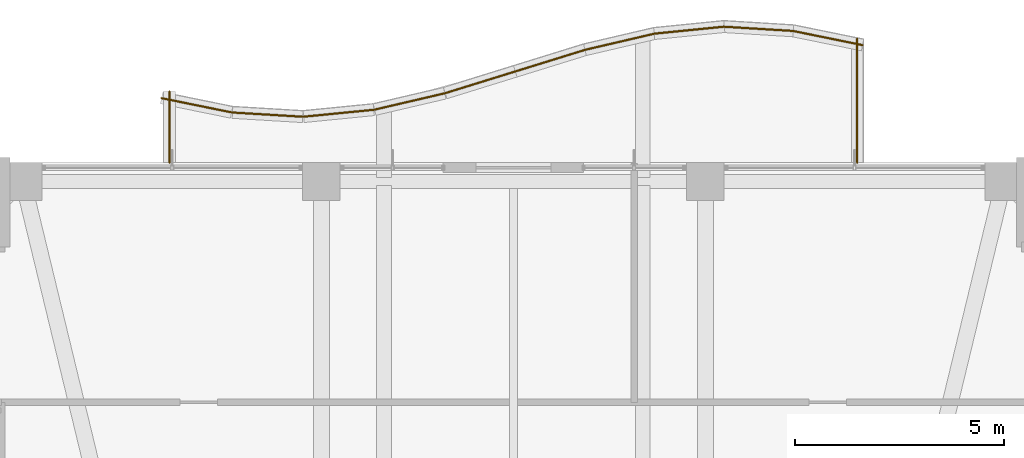
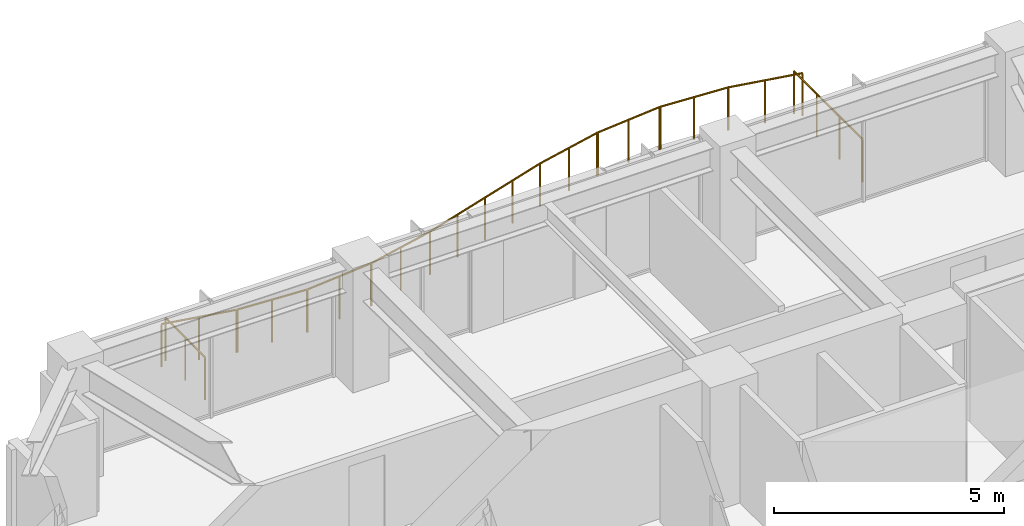
# One storey, part 31 of 31: 12 railings.
"""IFC4 building model written with IfcOpenShell, lengths in metres."""

import ifcopenshell
import ifcopenshell.guid

model = None  # the IFC model being written
_history = None  # IfcOwnerHistory: only IFC2X3 demands one
_inside = {}  # id of a spatial element -> (the spatial element, [elements in it])
_under = {}  # id of a project, library or spatial element -> (it, [spatial elements below it])
_declared = {}  # id of a project -> (the project, [libraries it declares])
_typed = {}  # id of a type object -> (the type object, [elements of that type])
_made_of = {}  # id of a material, layer set ... -> (it, [elements and type objects made of it])


def new_model(schema):
    """Start an empty IFC model of exactly this schema.

    Asked for "IFC4X3", IfcOpenShell would pick the latest addendum, in which some entities
    have other attributes; the version numbers below select the first issue.
    IFC2X3 requires an IfcOwnerHistory on every rooted entity: one is made here for all.
    """
    global model, _history
    if schema == "IFC4X3":
        model = ifcopenshell.file(schema_version=(4, 3, 0, 0))
    else:
        model = ifcopenshell.file(schema=schema)
    _inside.clear()
    _under.clear()
    _declared.clear()
    _typed.clear()
    _made_of.clear()
    _history = None
    if model.schema == "IFC2X3":
        org = make("IfcOrganization", Name="unknown")
        user = make(
            "IfcPersonAndOrganization",
            ThePerson=make("IfcPerson", FamilyName="unknown"),
            TheOrganization=org,
        )
        app = make(
            "IfcApplication",
            ApplicationDeveloper=org,
            Version="unknown",
            ApplicationFullName="unknown",
            ApplicationIdentifier="unknown",
        )
        _history = make(
            "IfcOwnerHistory",
            OwningUser=user,
            OwningApplication=app,
            ChangeAction="ADDED",
            CreationDate=0,
        )
    return model


def make(cls, **values):
    """One entity of the class cls with the attributes given. An attribute that is None is left unset."""
    return model.create_entity(
        cls, **{name: value for name, value in values.items() if value is not None}
    )


def rooted(cls, **values):
    """An entity with a GlobalId (a new one), such as an element, a storey or a relation."""
    return make(cls, GlobalId=ifcopenshell.guid.new(), OwnerHistory=_history, **values)


def si_unit(unit_type, name, prefix=None):
    """IfcSIUnit, for example si_unit("LENGTHUNIT", "METRE", prefix="MILLI")."""
    return make("IfcSIUnit", UnitType=unit_type, Prefix=prefix, Name=name)


def assignment(units):
    """IfcUnitAssignment: the units of a project."""
    return None if units is None else make("IfcUnitAssignment", Units=units)


def point(xyz):
    """IfcCartesianPoint."""
    return None if xyz is None else make("IfcCartesianPoint", Coordinates=xyz)


def direction(xyz):
    """IfcDirection."""
    return None if xyz is None else make("IfcDirection", DirectionRatios=xyz)


def frame(location, z_axis=None, x_axis=None):
    """IfcAxis2Placement3D, a coordinate frame: its origin and axes. An axis left out is left unset."""
    return make(
        "IfcAxis2Placement3D",
        Location=point(location),
        Axis=direction(z_axis),
        RefDirection=direction(x_axis),
    )


def frame_2d(location, x_axis=None):
    """IfcAxis2Placement2D, a coordinate frame in the plane: its origin and x axis."""
    return make(
        "IfcAxis2Placement2D", Location=point(location), RefDirection=direction(x_axis)
    )


def origin():
    """The frame at (0, 0, 0) with its axes left unset."""
    return frame((0.0, 0.0, 0.0))


def origin_2d():
    """The frame at (0, 0) in the plane with its x axis left unset."""
    return frame_2d((0.0, 0.0))


def place(relative_to, where):
    """IfcLocalPlacement: puts the frame where relative to a parent placement (None: the world)."""
    return make(
        "IfcLocalPlacement", PlacementRelTo=relative_to, RelativePlacement=where
    )


def context(
    kind, dimensions, precision=None, world=None, true_north=None, identifier=None
):
    """IfcGeometricRepresentationContext, for example the 3D "Model" context."""
    return make(
        "IfcGeometricRepresentationContext",
        ContextIdentifier=identifier,
        ContextType=kind,
        CoordinateSpaceDimension=dimensions,
        Precision=precision,
        WorldCoordinateSystem=world,
        TrueNorth=true_north,
    )


def subcontext(parent, identifier, kind, view, scale=None):
    """IfcGeometricRepresentationSubContext, for example "Body" below "Model"."""
    return make(
        "IfcGeometricRepresentationSubContext",
        ContextIdentifier=identifier,
        ContextType=kind,
        ParentContext=parent,
        TargetScale=scale,
        TargetView=view,
    )


def project(units=None, contexts=None):
    """IfcProject with its units and contexts."""
    return rooted(
        "IfcProject",
        Name="project",
        RepresentationContexts=contexts,
        UnitsInContext=assignment(units),
    )


def spatial(cls, under=None, at=None, **own):
    """A site, building, storey or space (cls), placed at a placement, below another one or the project."""
    s = rooted(cls, ObjectPlacement=at, **own)
    if under is not None:
        _under.setdefault(under.id(), (under, []))[1].append(s)
    return s


def profile(cls, at=None, kind="AREA", **sizes):
    """A parametric profile (cls). Its sizes go by their IFC names, for example OverallWidth=200.0."""
    return make(cls, ProfileType=kind, Position=at, **sizes)


def circle(**sizes):
    """IfcCircleProfileDef."""
    return profile("IfcCircleProfileDef", **sizes)


def extrude(swept, where, along, depth):
    """IfcExtrudedAreaSolid: the profile swept, set in the frame where, extruded along a direction by depth."""
    return make(
        "IfcExtrudedAreaSolid",
        SweptArea=swept,
        Position=where,
        ExtrudedDirection=direction(along),
        Depth=depth,
    )


def shape(context_of_items, identifier, shape_type, items):
    """IfcShapeRepresentation: the items that make up one representation, for example the "Body"."""
    return make(
        "IfcShapeRepresentation",
        ContextOfItems=context_of_items,
        RepresentationIdentifier=identifier,
        RepresentationType=shape_type,
        Items=items,
    )


def material(Name=None, Category=None):
    """IfcMaterial."""
    return make("IfcMaterial", Name=Name, Category=Category)


def made_of(thing, what):
    """Note that an element or type object is made of a material, layer set ...; save() writes the relation."""
    if what is not None:
        _made_of.setdefault(what.id(), (what, []))[1].append(thing)
    return thing


def type_object(cls, material=None, **own):
    """A type object (cls), such as IfcWallType, which elements share."""
    return made_of(rooted(cls, **own), material)


def element(
    cls,
    number,
    at=None,
    inside=None,
    cuts=None,
    type_object=None,
    material=None,
    context=None,
    identifier="Body",
    shape_type=None,
    held_by="IfcProductDefinitionShape",
    body=None,
    shapes=None,
    **own,
):
    """One element of the class cls, such as IfcWall. Its Tag is "e" and its number.

    at: its placement. inside: the storey or other place that contains it. cuts: it is an
    opening in that element (IfcRelVoidsElement). A single representation is given by context,
    identifier, shape_type and body (its items); several are given by shapes. held_by: the class
    of the entity that holds the representations. save() writes the other relations.
    """
    e = rooted(cls, Tag="e%d" % number, ObjectPlacement=at, **own)
    if body is not None:
        shapes = [shape(context, identifier, shape_type, body)]
    if shapes is not None:
        e.Representation = make(held_by, Representations=shapes)
    if inside is not None:
        _inside.setdefault(inside.id(), (inside, []))[1].append(e)
    if cuts is not None:
        rooted(
            "IfcRelVoidsElement", RelatingBuildingElement=cuts, RelatedOpeningElement=e
        )
    if type_object is not None:
        _typed.setdefault(type_object.id(), (type_object, []))[1].append(e)
    return made_of(e, material)


def aggregate(whole, parts):
    """IfcRelAggregates: a whole, such as a stair, and the parts it consists of."""
    return rooted("IfcRelAggregates", RelatingObject=whole, RelatedObjects=parts)


def save(model, path):
    """Write the relations noted so far, then the file.

    IfcRelAggregates (storeys below a building ...), IfcRelContainedInSpatialStructure (elements
    in a storey), IfcRelDefinesByType, IfcRelAssociatesMaterial and IfcRelDeclares: one each for
    every whole, place, type object, material and project.
    """
    for whole, parts in _under.values():
        aggregate(whole, parts)
    for where, things in _inside.values():
        rooted(
            "IfcRelContainedInSpatialStructure",
            RelatedElements=things,
            RelatingStructure=where,
        )
    for kind, things in _typed.values():
        rooted("IfcRelDefinesByType", RelatedObjects=things, RelatingType=kind)
    for what, things in _made_of.values():
        rooted("IfcRelAssociatesMaterial", RelatedObjects=things, RelatingMaterial=what)
    for by, libraries in _declared.values():
        rooted("IfcRelDeclares", RelatingContext=by, RelatedDefinitions=libraries)
    model.write(path)


model = new_model("IFC4")

# Units and contexts
model_context = context("Model", 3, precision=1e-05, world=origin(), true_north=direction((0.0, 1.0)))
body_context = subcontext(model_context, "Body", "Model", "MODEL_VIEW")
ifc_project = project(units=[si_unit("LENGTHUNIT", "METRE"), si_unit("AREAUNIT", "SQUARE_METRE"), si_unit("VOLUMEUNIT", "CUBIC_METRE"), si_unit("PLANEANGLEUNIT", "RADIAN"), si_unit("MASSUNIT", "GRAM", prefix="KILO")], contexts=[model_context])

# Site, building, storey
site_placement = place(None, origin())
site = spatial("IfcSite", under=ifc_project, at=site_placement, CompositionType="ELEMENT")
building_placement = place(site_placement, origin())
building = spatial("IfcBuilding", under=site, at=building_placement, Name="Kolvaren Belvedere", CompositionType="ELEMENT")
storey_placement = place(building_placement, frame((0.0, 0.0, 138.199951171875)))
storey = spatial("IfcBuildingStorey", under=building, at=storey_placement, Name="L40", CompositionType="ELEMENT", Elevation=138.199951171875)

# Railings
ifc_material = material(Name="Anodised pale-metal aluminium & laminated glass guard", Category="aluminium")
railing_type = type_object("IfcRailingType", Name="RL-GUARD-1150", PredefinedType="GUARDRAIL", material=ifc_material)
railing_1_placement = place(storey_placement, frame((8.239990234375, 18.0, 0.400146484375)))
element("IfcRailing", 1, at=railing_1_placement, inside=storey, type_object=railing_type, Name="L40 Exterior Deck Safety Guard BAL-N-11", PredefinedType="GUARDRAIL", context=body_context, shape_type="SweptSolid", body=[
    extrude(circle(Radius=0.02392578125, at=origin_2d()), frame((0.0, 0.0, 1.1259765625), z_axis=(0.0, 1.0, 0.0), x_axis=(-1.0, 0.0, 0.0)), (0.0, 0.0, 1.0), 2.974853515625),
    extrude(circle(Radius=0.02099609375, at=origin_2d()), origin(), (0.0, 0.0, 1.0), 1.101806640625),
    extrude(circle(Radius=0.02099609375, at=origin_2d()), frame((0.0, 0.99169921875, 0.0)), (0.0, 0.0, 1.0), 1.101806640625),
    extrude(circle(Radius=0.02099609375, at=origin_2d()), frame((0.0, 1.983154296875, 0.0)), (0.0, 0.0, 1.0), 1.101806640625),
    extrude(circle(Radius=0.02099609375, at=origin_2d()), frame((0.0, 2.974853515625, 0.0)), (0.0, 0.0, 1.0), 1.101806640625),
])
railing_2_placement = place(storey_placement, frame((8.367919921875, 20.818115234375, 0.400146484375)))
element("IfcRailing", 2, at=railing_2_placement, inside=storey, type_object=railing_type, Name="L40 Exterior Deck Safety Guard BAL-N-12", PredefinedType="GUARDRAIL", context=body_context, shape_type="SweptSolid", body=[
    extrude(circle(Radius=0.02392578125, at=origin_2d()), frame((0.0, 0.0, 1.1259765625), z_axis=(-0.979867779516, 0.199647526069, 0.0), x_axis=(-0.199647526069, -0.979867779516, 0.0)), (0.0, 0.0, 1.0), 1.71435546875),
    extrude(circle(Radius=0.02099609375, at=origin_2d()), origin(), (0.0, 0.0, 1.0), 1.101806640625),
    extrude(circle(Radius=0.02099609375, at=origin_2d()), frame((-0.83984375, 0.171142578125, 0.0)), (0.0, 0.0, 1.0), 1.101806640625),
    extrude(circle(Radius=0.02099609375, at=origin_2d()), frame((-1.679931640625, 0.34228515625, 0.0)), (0.0, 0.0, 1.0), 1.101806640625),
])
railing_3_placement = place(storey_placement, frame((6.710205078125, 21.157470703125, 0.400146484375)))
element("IfcRailing", 3, at=railing_3_placement, inside=storey, type_object=railing_type, Name="L40 Exterior Deck Safety Guard BAL-N-13", PredefinedType="GUARDRAIL", context=body_context, shape_type="SweptSolid", body=[
    extrude(circle(Radius=0.02392578125, at=origin_2d()), frame((0.0, 0.0, 1.1259765625), z_axis=(-0.998133560666, 0.061068773295, 0.0), x_axis=(-0.061068773295, -0.998133560666, 0.0)), (0.0, 0.0, 1.0), 1.68310546875),
    extrude(circle(Radius=0.02099609375, at=origin_2d()), origin(), (0.0, 0.0, 1.0), 1.101806640625),
    extrude(circle(Radius=0.02099609375, at=origin_2d()), frame((-0.83984375, 0.05126953125, 0.0)), (0.0, 0.0, 1.0), 1.101806640625),
    extrude(circle(Radius=0.02099609375, at=origin_2d()), frame((-1.679931640625, 0.102783203125, 0.0)), (0.0, 0.0, 1.0), 1.101806640625),
])
railing_4_placement = place(storey_placement, frame((5.055908203125, 21.2607421875, 0.400146484375)))
element("IfcRailing", 4, at=railing_4_placement, inside=storey, type_object=railing_type, Name="L40 Exterior Deck Safety Guard BAL-N-14", PredefinedType="GUARDRAIL", context=body_context, shape_type="SweptSolid", body=[
    extrude(circle(Radius=0.02392578125, at=origin_2d()), frame((0.0, 0.0, 1.1259765625), z_axis=(-0.995038621856, -0.099489401517, 0.0), x_axis=(0.099489401517, -0.995038621856, 0.0)), (0.0, 0.0, 1.0), 1.688232421875),
    extrude(circle(Radius=0.02099609375, at=origin_2d()), origin(), (0.0, 0.0, 1.0), 1.101806640625),
    extrude(circle(Radius=0.02099609375, at=origin_2d()), frame((-0.83984375, -0.083984375, 0.0)), (0.0, 0.0, 1.0), 1.101806640625),
    extrude(circle(Radius=0.02099609375, at=origin_2d()), frame((-1.679931640625, -0.16796875, 0.0)), (0.0, 0.0, 1.0), 1.101806640625),
])
railing_5_placement = place(storey_placement, frame((3.396240234375, 21.09619140625, 0.400146484375)))
element("IfcRailing", 5, at=railing_5_placement, inside=storey, type_object=railing_type, Name="L40 Exterior Deck Safety Guard BAL-N-15", PredefinedType="GUARDRAIL", context=body_context, shape_type="SweptSolid", body=[
    extrude(circle(Radius=0.02392578125, at=origin_2d()), frame((0.0, 0.0, 1.1259765625), z_axis=(-0.973890253884, -0.227019323824, 0.0), x_axis=(0.227019323824, -0.973890253884, 0.0)), (0.0, 0.0, 1.0), 1.724853515625),
    extrude(circle(Radius=0.02099609375, at=origin_2d()), origin(), (0.0, 0.0, 1.0), 1.101806640625),
    extrude(circle(Radius=0.02099609375, at=origin_2d()), frame((-0.83984375, -0.19580078125, 0.0)), (0.0, 0.0, 1.0), 1.101806640625),
    extrude(circle(Radius=0.02099609375, at=origin_2d()), frame((-1.679931640625, -0.3916015625, 0.0)), (0.0, 0.0, 1.0), 1.101806640625),
])
railing_6_placement = place(storey_placement, frame((1.727294921875, 20.70751953125, 0.400146484375)))
element("IfcRailing", 6, at=railing_6_placement, inside=storey, type_object=railing_type, Name="L40 Exterior Deck Safety Guard BAL-N-16", PredefinedType="GUARDRAIL", context=body_context, shape_type="SweptSolid", body=[
    extrude(circle(Radius=0.02392578125, at=origin_2d()), frame((0.0, 0.0, 1.1259765625), z_axis=(-0.95524013163, -0.295831524561, 0.0), x_axis=(0.295831524561, -0.95524013163, 0.0)), (0.0, 0.0, 1.0), 1.758544921875),
    extrude(circle(Radius=0.02099609375, at=origin_2d()), origin(), (0.0, 0.0, 1.0), 1.101806640625),
    extrude(circle(Radius=0.02099609375, at=origin_2d()), frame((-0.83984375, -0.26025390625, 0.0)), (0.0, 0.0, 1.0), 1.101806640625),
    extrude(circle(Radius=0.02099609375, at=origin_2d()), frame((-1.679931640625, -0.520263671875, 0.0)), (0.0, 0.0, 1.0), 1.101806640625),
])
railing_7_placement = place(storey_placement, frame((0.04736328125, 20.187255859375, 0.400146484375)))
element("IfcRailing", 7, at=railing_7_placement, inside=storey, type_object=railing_type, Name="L40 Exterior Deck Safety Guard BAL-N-17", PredefinedType="GUARDRAIL", context=body_context, shape_type="SweptSolid", body=[
    extrude(circle(Radius=0.02392578125, at=origin_2d()), frame((0.0, 0.0, 1.1259765625), z_axis=(-0.955252278476, -0.29579229954, 0.0), x_axis=(0.29579229954, -0.955252278476, 0.0)), (0.0, 0.0, 1.0), 1.7587890625),
    extrude(circle(Radius=0.02099609375, at=origin_2d()), origin(), (0.0, 0.0, 1.0), 1.101806640625),
    extrude(circle(Radius=0.02099609375, at=origin_2d()), frame((-0.840087890625, -0.26025390625, 0.0)), (0.0, 0.0, 1.0), 1.101806640625),
    extrude(circle(Radius=0.02099609375, at=origin_2d()), frame((-1.68017578125, -0.520263671875, 0.0)), (0.0, 0.0, 1.0), 1.101806640625),
])
railing_8_placement = place(storey_placement, frame((-1.643798828125, 19.663818359375, 0.400146484375)))
element("IfcRailing", 8, at=railing_8_placement, inside=storey, type_object=railing_type, Name="L40 Exterior Deck Safety Guard BAL-N-18", PredefinedType="GUARDRAIL", context=body_context, shape_type="SweptSolid", body=[
    extrude(circle(Radius=0.02392578125, at=origin_2d()), frame((0.0, 0.0, 1.1259765625), z_axis=(-0.973890253884, -0.227019323824, 0.0), x_axis=(0.227019323824, -0.973890253884, 0.0)), (0.0, 0.0, 1.0), 1.724853515625),
    extrude(circle(Radius=0.02099609375, at=origin_2d()), origin(), (0.0, 0.0, 1.0), 1.101806640625),
    extrude(circle(Radius=0.02099609375, at=origin_2d()), frame((-0.83984375, -0.19580078125, 0.0)), (0.0, 0.0, 1.0), 1.101806640625),
    extrude(circle(Radius=0.02099609375, at=origin_2d()), frame((-1.679931640625, -0.3916015625, 0.0)), (0.0, 0.0, 1.0), 1.101806640625),
])
railing_9_placement = place(storey_placement, frame((-3.34423828125, 19.268798828125, 0.400146484375)))
element("IfcRailing", 9, at=railing_9_placement, inside=storey, type_object=railing_type, Name="L40 Exterior Deck Safety Guard BAL-N-19", PredefinedType="GUARDRAIL", context=body_context, shape_type="SweptSolid", body=[
    extrude(circle(Radius=0.02392578125, at=origin_2d()), frame((0.0, 0.0, 1.1259765625), z_axis=(-0.995153897624, -0.098329649867, 0.0), x_axis=(0.098329649867, -0.995153897624, 0.0)), (0.0, 0.0, 1.0), 1.6884765625),
    extrude(circle(Radius=0.02099609375, at=origin_2d()), origin(), (0.0, 0.0, 1.0), 1.101806640625),
    extrude(circle(Radius=0.02099609375, at=origin_2d()), frame((-0.840087890625, -0.0830078125, 0.0)), (0.0, 0.0, 1.0), 1.101806640625),
    extrude(circle(Radius=0.02099609375, at=origin_2d()), frame((-1.68017578125, -0.166015625, 0.0)), (0.0, 0.0, 1.0), 1.101806640625),
])
railing_10_placement = place(storey_placement, frame((-5.049560546875, 19.102294921875, 0.400146484375)))
element("IfcRailing", 10, at=railing_10_placement, inside=storey, type_object=railing_type, Name="L40 Exterior Deck Safety Guard BAL-N-20", PredefinedType="GUARDRAIL", context=body_context, shape_type="SweptSolid", body=[
    extrude(circle(Radius=0.02392578125, at=origin_2d()), frame((0.0, 0.0, 1.1259765625), z_axis=(-0.998203631072, 0.059912527196, 0.0), x_axis=(-0.059912527196, -0.998203631072, 0.0)), (0.0, 0.0, 1.0), 1.682861328125),
    extrude(circle(Radius=0.02099609375, at=origin_2d()), origin(), (0.0, 0.0, 1.0), 1.101806640625),
    extrude(circle(Radius=0.02099609375, at=origin_2d()), frame((-0.83984375, 0.05029296875, 0.0)), (0.0, 0.0, 1.0), 1.101806640625),
    extrude(circle(Radius=0.02099609375, at=origin_2d()), frame((-1.679931640625, 0.100830078125, 0.0)), (0.0, 0.0, 1.0), 1.101806640625),
])
railing_11_placement = place(storey_placement, frame((-6.751953125, 19.2060546875, 0.400146484375)))
element("IfcRailing", 11, at=railing_11_placement, inside=storey, type_object=railing_type, Name="L40 Exterior Deck Safety Guard BAL-N-21", PredefinedType="GUARDRAIL", context=body_context, shape_type="SweptSolid", body=[
    extrude(circle(Radius=0.02392578125, at=origin_2d()), frame((0.0, 0.0, 1.1259765625), z_axis=(-0.979867779516, 0.199647526069, 0.0), x_axis=(-0.199647526069, -0.979867779516, 0.0)), (0.0, 0.0, 1.0), 1.71435546875),
    extrude(circle(Radius=0.02099609375, at=origin_2d()), origin(), (0.0, 0.0, 1.0), 1.101806640625),
    extrude(circle(Radius=0.02099609375, at=origin_2d()), frame((-0.83984375, 0.171142578125, 0.0)), (0.0, 0.0, 1.0), 1.101806640625),
    extrude(circle(Radius=0.02099609375, at=origin_2d()), frame((-1.679931640625, 0.34228515625, 0.0)), (0.0, 0.0, 1.0), 1.101806640625),
])
railing_12_placement = place(storey_placement, frame((-8.239990234375, 19.705078125, 0.400146484375)))
element("IfcRailing", 12, at=railing_12_placement, inside=storey, type_object=railing_type, Name="L40 Exterior Deck Safety Guard BAL-N-22", PredefinedType="GUARDRAIL", context=body_context, shape_type="SweptSolid", body=[
    extrude(circle(Radius=0.02392578125, at=origin_2d()), frame((0.0, 0.0, 1.1259765625), z_axis=(0.0, -1.0, 0.0), x_axis=(1.0, 0.0, 0.0)), (0.0, 0.0, 1.0), 1.705078125),
    extrude(circle(Radius=0.02099609375, at=origin_2d()), origin(), (0.0, 0.0, 1.0), 1.101806640625),
    extrude(circle(Radius=0.02099609375, at=origin_2d()), frame((0.0, -0.8525390625, 0.0)), (0.0, 0.0, 1.0), 1.101806640625),
    extrude(circle(Radius=0.02099609375, at=origin_2d()), frame((0.0, -1.705078125, 0.0)), (0.0, 0.0, 1.0), 1.101806640625),
])

save(model, "model.ifc")
